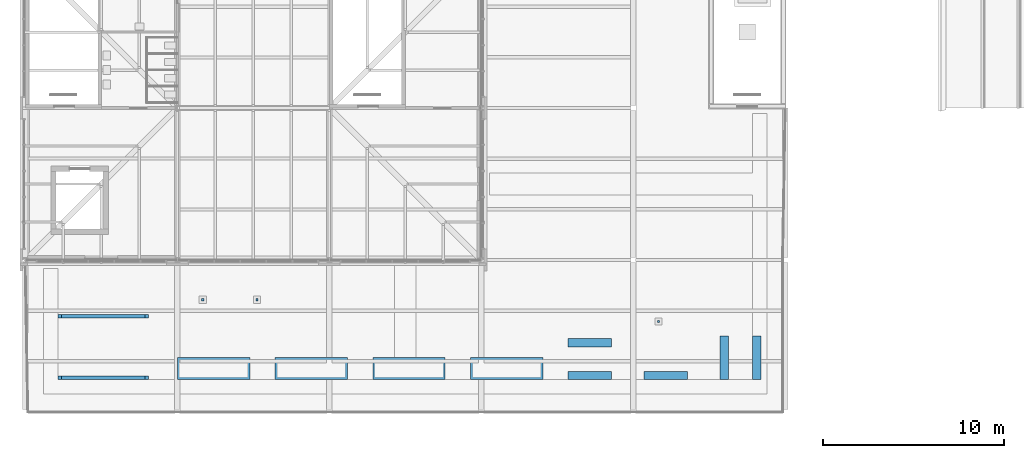
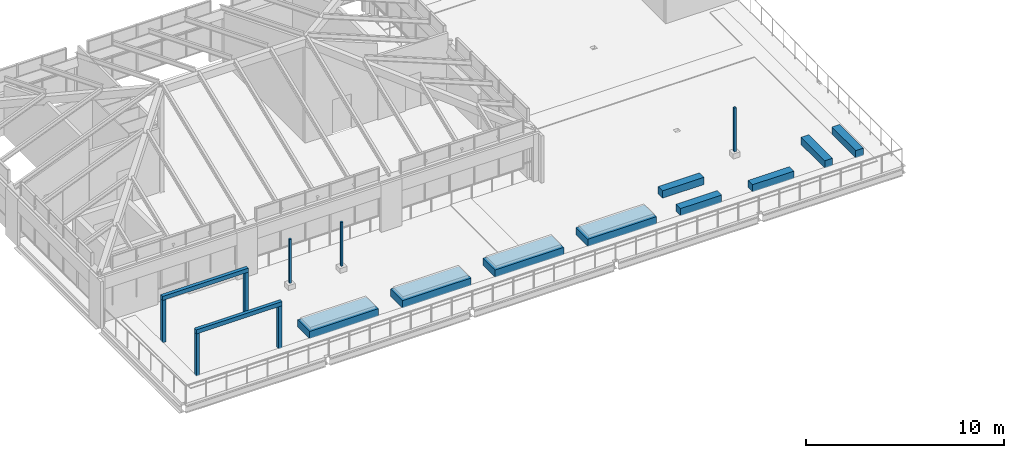
# One storey, part 83 of 126: 18 discrete accessories.
"""IFC4 building model written with IfcOpenShell, lengths in metres."""

from ifc_helpers import new_model, si_unit, direction, frame, origin, origin_2d, place, context, subcontext, project, spatial, rectangle, extrude, material, type_object, element, save


model = new_model("IFC4")

# Units and contexts
model_context = context("Model", 3, precision=1e-05, world=origin(), true_north=direction((0.0, 1.0)))
body_context = subcontext(model_context, "Body", "Model", "MODEL_VIEW")
ifc_project = project(units=[si_unit("LENGTHUNIT", "METRE"), si_unit("AREAUNIT", "SQUARE_METRE"), si_unit("VOLUMEUNIT", "CUBIC_METRE"), si_unit("PLANEANGLEUNIT", "RADIAN"), si_unit("MASSUNIT", "GRAM", prefix="KILO")], contexts=[model_context])

# Site, building, storey
site_placement = place(None, origin())
site = spatial("IfcSite", under=ifc_project, at=site_placement, CompositionType="ELEMENT")
building_placement = place(site_placement, origin())
building = spatial("IfcBuilding", under=site, at=building_placement, Name="Sava Quay Ferry Terminal", CompositionType="ELEMENT")
storey_placement = place(building_placement, frame((0.0, 0.0, 15.0)))
storey = spatial("IfcBuildingStorey", under=building, at=storey_placement, Name="L03", CompositionType="ELEMENT", Elevation=15.0)

# Discrete accessories
ifc_material_1 = material(Name="Timber", Category="wood")
discrete_accessory_type_1 = type_object("IfcDiscreteAccessoryType", Name="Garden bench 2400x450", PredefinedType="NOTDEFINED", material=ifc_material_1)
for number, where, z_axis, x_axis, name in (
    (1, (31.199951171875, 27.22509765625, 0.0), (0.0, 0.0, 1.0), (1.0, 0.0, 0.0), "Garden bench"),
    (2, (35.39990234375, 27.22509765625, 0.0), (0.0, 0.0, 1.0), (1.0, 0.0, 0.0), "Garden bench"),
):
    element("IfcDiscreteAccessory", number, at=place(storey_placement, frame(where, z_axis=z_axis, x_axis=x_axis)), inside=storey, type_object=discrete_accessory_type_1, Name=name, PredefinedType="NOTDEFINED", context=body_context, shape_type="SweptSolid", body=[
        extrude(rectangle(XDim=2.39990234375, YDim=0.449951171875, at=origin_2d()), origin(), (0.0, 0.0, 1.0), 0.449951171875),
    ])
for number, where, z_axis, x_axis, name in (
    (3, (38.625, 28.199951171875, 0.0), (0.0, 0.0, 1.0), (1.0, 0.0, 0.0), "Garden bench"),
    (4, (40.425048828125, 28.199951171875, 0.0), (0.0, 0.0, 1.0), (1.0, 0.0, 0.0), "Garden bench"),
):
    element("IfcDiscreteAccessory", number, at=place(storey_placement, frame(where, z_axis=z_axis, x_axis=x_axis)), inside=storey, type_object=discrete_accessory_type_1, Name=name, PredefinedType="NOTDEFINED", context=body_context, shape_type="SweptSolid", body=[
        extrude(rectangle(XDim=0.449951171875, YDim=2.39990234375, at=origin_2d()), origin(), (0.0, 0.0, 1.0), 0.449951171875),
    ])
discrete_accessory_placement = place(storey_placement, frame((31.199951171875, 29.02490234375, 0.0), z_axis=(0.0, 0.0, 1.0), x_axis=(1.0, 0.0, 0.0)))
element("IfcDiscreteAccessory", 5, at=discrete_accessory_placement, inside=storey, type_object=discrete_accessory_type_1, Name="Garden bench", PredefinedType="NOTDEFINED", context=body_context, shape_type="SweptSolid", body=[
    extrude(rectangle(XDim=2.39990234375, YDim=0.449951171875, at=origin_2d()), origin(), (0.0, 0.0, 1.0), 0.449951171875),
])
ifc_material_2 = material(Name="Glued laminated timber GL28h", Category="wood")
discrete_accessory_type_2 = type_object("IfcDiscreteAccessoryType", Name="Pergola beam 200x250", PredefinedType="NOTDEFINED", material=ifc_material_2)
for number, where, z_axis, x_axis, name in (
    (6, (4.300048828125, 27.10009765625, 2.60009765625), (0.0, 0.0, 1.0), (1.0, 0.0, 0.0), "Pergola beam"),
    (7, (4.300048828125, 30.5, 2.60009765625), (0.0, 0.0, 1.0), (1.0, 0.0, 0.0), "Pergola beam"),
):
    element("IfcDiscreteAccessory", number, at=place(storey_placement, frame(where, z_axis=z_axis, x_axis=x_axis)), inside=storey, type_object=discrete_accessory_type_2, Name=name, PredefinedType="NOTDEFINED", context=body_context, shape_type="SweptSolid", body=[
        extrude(rectangle(XDim=5.0, YDim=0.199951171875, at=origin_2d()), origin(), (0.0, 0.0, 1.0), 0.25),
    ])
ifc_material_3 = material(Name="Glued laminated timber GL28h", Category="wood")
discrete_accessory_type_3 = type_object("IfcDiscreteAccessoryType", Name="Pergola post 200", PredefinedType="NOTDEFINED", material=ifc_material_3)
for number, where, z_axis, x_axis, name in (
    (8, (1.89990234375, 27.10009765625, 0.0), (0.0, 0.0, 1.0), (1.0, 0.0, 0.0), "Pergola post"),
    (9, (6.699951171875, 27.10009765625, 0.0), (0.0, 0.0, 1.0), (1.0, 0.0, 0.0), "Pergola post"),
    (10, (1.89990234375, 30.5, 0.0), (0.0, 0.0, 1.0), (1.0, 0.0, 0.0), "Pergola post"),
    (11, (6.699951171875, 30.5, 0.0), (0.0, 0.0, 1.0), (1.0, 0.0, 0.0), "Pergola post"),
):
    element("IfcDiscreteAccessory", number, at=place(storey_placement, frame(where, z_axis=z_axis, x_axis=x_axis)), inside=storey, type_object=discrete_accessory_type_3, Name=name, PredefinedType="NOTDEFINED", context=body_context, shape_type="SweptSolid", body=[
        extrude(rectangle(XDim=0.199951171875, YDim=0.199951171875, at=origin_2d()), origin(), (0.0, 0.0, 1.0), 2.60009765625),
    ])
ifc_material_4 = material(Name="Precast concrete C30/37", Category="concrete")
discrete_accessory_type_4 = type_object("IfcDiscreteAccessoryType", Name="Roof planter 4000x1200", PredefinedType="NOTDEFINED", material=ifc_material_4)
for number, where, z_axis, x_axis, name in (
    (12, (10.39990234375, 27.60009765625, 0.0), (0.0, 0.0, 1.0), (1.0, 0.0, 0.0), "Roof planter"),
    (13, (15.800048828125, 27.60009765625, 0.0), (0.0, 0.0, 1.0), (1.0, 0.0, 0.0), "Roof planter"),
    (14, (21.199951171875, 27.60009765625, 0.0), (0.0, 0.0, 1.0), (1.0, 0.0, 0.0), "Roof planter"),
    (15, (26.60009765625, 27.60009765625, 0.0), (0.0, 0.0, 1.0), (1.0, 0.0, 0.0), "Roof planter"),
):
    element("IfcDiscreteAccessory", number, at=place(storey_placement, frame(where, z_axis=z_axis, x_axis=x_axis)), inside=storey, type_object=discrete_accessory_type_4, Name=name, PredefinedType="NOTDEFINED", context=body_context, shape_type="SweptSolid", body=[
        extrude(rectangle(XDim=4.0, YDim=1.199951171875, at=origin_2d()), origin(), (0.0, 0.0, 1.0), 0.449951171875),
    ])
ifc_material_5 = material(Name="Galvanised steel S355J2", Category="steel")
discrete_accessory_type_5 = type_object("IfcDiscreteAccessoryType", Name="Terrace lamp post 2700", PredefinedType="NOTDEFINED", material=ifc_material_5)
for number, where, z_axis, x_axis, name in (
    (16, (35.0, 30.199951171875, 0.2998046875), (0.0, 0.0, 1.0), (1.0, 0.0, 0.0), "Terrace lamp post"),
    (17, (9.800048828125, 31.39990234375, 0.2998046875), (0.0, 0.0, 1.0), (1.0, 0.0, 0.0), "Terrace lamp post"),
    (18, (12.800048828125, 31.39990234375, 0.2998046875), (0.0, 0.0, 1.0), (1.0, 0.0, 0.0), "Terrace lamp post"),
):
    element("IfcDiscreteAccessory", number, at=place(storey_placement, frame(where, z_axis=z_axis, x_axis=x_axis)), inside=storey, type_object=discrete_accessory_type_5, Name=name, PredefinedType="NOTDEFINED", context=body_context, shape_type="SweptSolid", body=[
        extrude(rectangle(XDim=0.1201171875, YDim=0.1201171875, at=origin_2d()), origin(), (0.0, 0.0, 1.0), 2.699951171875),
    ])

save(model, "model.ifc")
